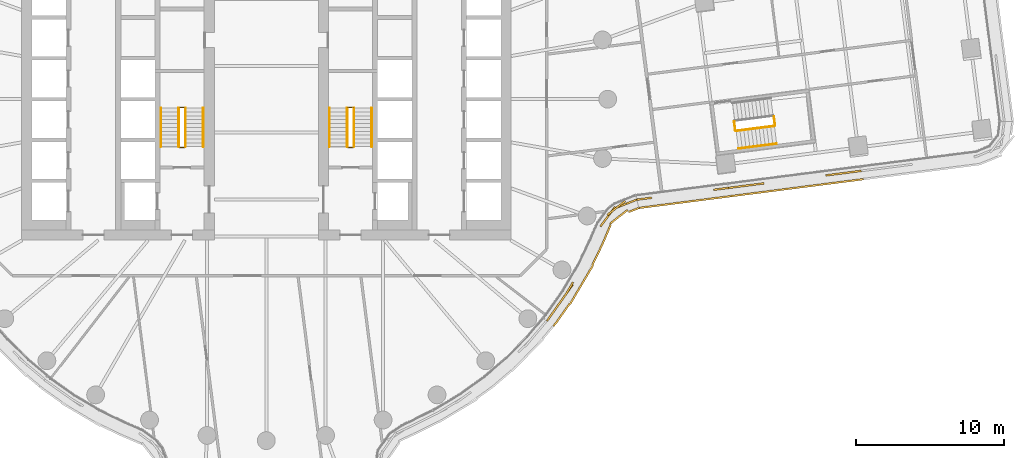
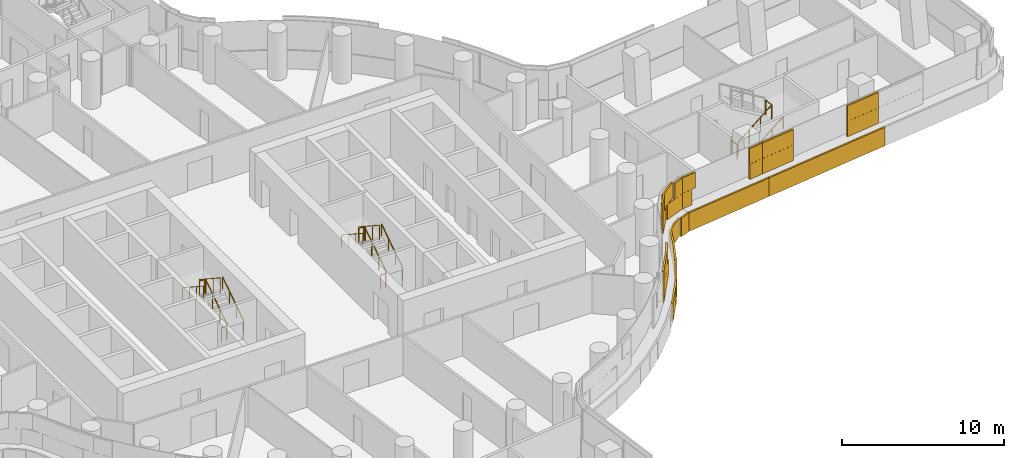
# One storey, part 28 of 31: 16 railings, 3 coverings.
"""IFC4 building model written with IfcOpenShell, lengths in metres."""

from ifc_helpers import new_model, si_unit, direction, frame, origin, origin_2d, place, context, subcontext, project, spatial, rectangle, circle, extrude, material, layer, layer_set, type_object, element, save


model = new_model("IFC4")

# Units and contexts
model_context = context("Model", 3, precision=1e-05, world=origin(), true_north=direction((0.0, 1.0)))
body_context = subcontext(model_context, "Body", "Model", "MODEL_VIEW")
ifc_project = project(units=[si_unit("LENGTHUNIT", "METRE"), si_unit("AREAUNIT", "SQUARE_METRE"), si_unit("VOLUMEUNIT", "CUBIC_METRE"), si_unit("PLANEANGLEUNIT", "RADIAN"), si_unit("MASSUNIT", "GRAM", prefix="KILO")], contexts=[model_context])

# Site, building, storey
site_placement = place(None, origin())
site = spatial("IfcSite", under=ifc_project, at=site_placement, CompositionType="ELEMENT")
building_placement = place(site_placement, origin())
building = spatial("IfcBuilding", under=site, at=building_placement, Name="Tamarind Cross Interchange Tower", CompositionType="ELEMENT")
storey_placement = place(building_placement, frame((0.0, 0.0, 60.25)))
storey = spatial("IfcBuildingStorey", under=building, at=storey_placement, Name="L13", CompositionType="ELEMENT", Elevation=60.25)

# Railings
ifc_material_1 = material(Name="Stair guard")
railing_type_1 = type_object("IfcRailingType", Name="Stair guard", PredefinedType="GUARDRAIL", material=ifc_material_1)
railing_1_placement = place(storey_placement, frame((-5.449951171875, -3.199951171875, 0.17041015625)))
element("IfcRailing", 1, at=railing_1_placement, inside=storey, type_object=railing_type_1, Name="L13 ST1 stair guard 1", PredefinedType="GUARDRAIL", context=body_context, shape_type="SweptSolid", body=[
    extrude(circle(Radius=0.02392578125, at=origin_2d()), frame((0.0, 0.0, 1.076171875), z_axis=(0.0, 0.836278606002, 0.548304744775), x_axis=(-1.0, 0.0, 0.0)), (0.0, 0.0, 1.0), 3.10888671875),
    extrude(circle(Radius=0.02099609375, at=origin_2d()), origin(), (0.0, 0.0, 1.0), 1.052001953125),
    extrude(circle(Radius=0.02099609375, at=origin_2d()), frame((0.0, 0.86669921875, 0.568115234375)), (0.0, 0.0, 1.0), 1.052001953125),
    extrude(circle(Radius=0.02099609375, at=origin_2d()), frame((0.0, 1.733154296875, 1.136474609375)), (0.0, 0.0, 1.0), 1.052001953125),
    extrude(circle(Radius=0.02099609375, at=origin_2d()), frame((0.0, 2.599853515625, 1.70458984375)), (0.0, 0.0, 1.0), 1.052001953125),
])
railing_2_placement = place(storey_placement, frame((-5.5, -0.550048828125, 1.875)))
element("IfcRailing", 2, at=railing_2_placement, inside=storey, type_object=railing_type_1, Name="L13 ST1 stair guard 2", PredefinedType="GUARDRAIL", context=body_context, shape_type="SweptSolid", body=[
    extrude(circle(Radius=0.02392578125, at=origin_2d()), frame((0.0, 0.0, 1.076171875), z_axis=(-1.0, 0.0, 0.0), x_axis=(0.0, -1.0, 0.0)), (0.0, 0.0, 1.0), 0.35009765625),
    extrude(circle(Radius=0.02099609375, at=origin_2d()), origin(), (0.0, 0.0, 1.0), 1.052001953125),
    extrude(circle(Radius=0.02099609375, at=origin_2d()), frame((-0.35009765625, 0.0, 0.0)), (0.0, 0.0, 1.0), 1.052001953125),
])
railing_3_placement = place(storey_placement, frame((-5.89990234375, -0.60009765625, 2.04541015625)))
element("IfcRailing", 3, at=railing_3_placement, inside=storey, type_object=railing_type_1, Name="L13 ST1 stair guard 3", PredefinedType="GUARDRAIL", context=body_context, shape_type="SweptSolid", body=[
    extrude(circle(Radius=0.02392578125, at=origin_2d()), frame((0.0, 0.0, 1.076171875), z_axis=(0.0, -0.836278606002, 0.548304744775), x_axis=(1.0, 0.0, 0.0)), (0.0, 0.0, 1.0), 3.10888671875),
    extrude(circle(Radius=0.02099609375, at=origin_2d()), origin(), (0.0, 0.0, 1.0), 1.052001953125),
    extrude(circle(Radius=0.02099609375, at=origin_2d()), frame((0.0, -0.86669921875, 0.568115234375)), (0.0, 0.0, 1.0), 1.052001953125),
    extrude(circle(Radius=0.02099609375, at=origin_2d()), frame((0.0, -1.733154296875, 1.136474609375)), (0.0, 0.0, 1.0), 1.052001953125),
    extrude(circle(Radius=0.02099609375, at=origin_2d()), frame((0.0, -2.599853515625, 1.70458984375)), (0.0, 0.0, 1.0), 1.052001953125),
])
railing_4_placement = place(storey_placement, frame((-5.5, -3.25, 0.0)))
element("IfcRailing", 4, at=railing_4_placement, inside=storey, type_object=railing_type_1, Name="L13 ST1 stair guard 4", PredefinedType="GUARDRAIL", context=body_context, shape_type="SweptSolid", body=[
    extrude(circle(Radius=0.02392578125, at=origin_2d()), frame((0.0, 0.0, 1.076171875), z_axis=(-1.0, 0.0, 0.0), x_axis=(0.0, -1.0, 0.0)), (0.0, 0.0, 1.0), 0.35009765625),
    extrude(circle(Radius=0.02099609375, at=origin_2d()), origin(), (0.0, 0.0, 1.0), 1.052001953125),
    extrude(circle(Radius=0.02099609375, at=origin_2d()), frame((-0.35009765625, 0.0, 0.0)), (0.0, 0.0, 1.0), 1.052001953125),
])
railing_5_placement = place(storey_placement, frame((5.89990234375, -3.199951171875, 0.17041015625)))
element("IfcRailing", 5, at=railing_5_placement, inside=storey, type_object=railing_type_1, Name="L13 ST2 stair guard 1", PredefinedType="GUARDRAIL", context=body_context, shape_type="SweptSolid", body=[
    extrude(circle(Radius=0.02392578125, at=origin_2d()), frame((0.0, 0.0, 1.076171875), z_axis=(0.0, 0.836278606002, 0.548304744775), x_axis=(-1.0, 0.0, 0.0)), (0.0, 0.0, 1.0), 3.10888671875),
    extrude(circle(Radius=0.02099609375, at=origin_2d()), origin(), (0.0, 0.0, 1.0), 1.052001953125),
    extrude(circle(Radius=0.02099609375, at=origin_2d()), frame((0.0, 0.86669921875, 0.568115234375)), (0.0, 0.0, 1.0), 1.052001953125),
    extrude(circle(Radius=0.02099609375, at=origin_2d()), frame((0.0, 1.733154296875, 1.136474609375)), (0.0, 0.0, 1.0), 1.052001953125),
    extrude(circle(Radius=0.02099609375, at=origin_2d()), frame((0.0, 2.599853515625, 1.70458984375)), (0.0, 0.0, 1.0), 1.052001953125),
])
railing_6_placement = place(storey_placement, frame((5.85009765625, -0.550048828125, 1.875)))
element("IfcRailing", 6, at=railing_6_placement, inside=storey, type_object=railing_type_1, Name="L13 ST2 stair guard 2", PredefinedType="GUARDRAIL", context=body_context, shape_type="SweptSolid", body=[
    extrude(circle(Radius=0.02392578125, at=origin_2d()), frame((0.0, 0.0, 1.076171875), z_axis=(-1.0, 0.0, 0.0), x_axis=(0.0, -1.0, 0.0)), (0.0, 0.0, 1.0), 0.35009765625),
    extrude(circle(Radius=0.02099609375, at=origin_2d()), origin(), (0.0, 0.0, 1.0), 1.052001953125),
    extrude(circle(Radius=0.02099609375, at=origin_2d()), frame((-0.35009765625, 0.0, 0.0)), (0.0, 0.0, 1.0), 1.052001953125),
])
railing_7_placement = place(storey_placement, frame((5.449951171875, -0.60009765625, 2.04541015625)))
element("IfcRailing", 7, at=railing_7_placement, inside=storey, type_object=railing_type_1, Name="L13 ST2 stair guard 3", PredefinedType="GUARDRAIL", context=body_context, shape_type="SweptSolid", body=[
    extrude(circle(Radius=0.02392578125, at=origin_2d()), frame((0.0, 0.0, 1.076171875), z_axis=(0.0, -0.836278606002, 0.548304744775), x_axis=(1.0, 0.0, 0.0)), (0.0, 0.0, 1.0), 3.10888671875),
    extrude(circle(Radius=0.02099609375, at=origin_2d()), origin(), (0.0, 0.0, 1.0), 1.052001953125),
    extrude(circle(Radius=0.02099609375, at=origin_2d()), frame((0.0, -0.86669921875, 0.568115234375)), (0.0, 0.0, 1.0), 1.052001953125),
    extrude(circle(Radius=0.02099609375, at=origin_2d()), frame((0.0, -1.733154296875, 1.136474609375)), (0.0, 0.0, 1.0), 1.052001953125),
    extrude(circle(Radius=0.02099609375, at=origin_2d()), frame((0.0, -2.599853515625, 1.70458984375)), (0.0, 0.0, 1.0), 1.052001953125),
])
railing_8_placement = place(storey_placement, frame((5.85009765625, -3.25, 0.0)))
element("IfcRailing", 8, at=railing_8_placement, inside=storey, type_object=railing_type_1, Name="L13 ST2 stair guard 4", PredefinedType="GUARDRAIL", context=body_context, shape_type="SweptSolid", body=[
    extrude(circle(Radius=0.02392578125, at=origin_2d()), frame((0.0, 0.0, 1.076171875), z_axis=(-1.0, 0.0, 0.0), x_axis=(0.0, -1.0, 0.0)), (0.0, 0.0, 1.0), 0.35009765625),
    extrude(circle(Radius=0.02099609375, at=origin_2d()), origin(), (0.0, 0.0, 1.0), 1.052001953125),
    extrude(circle(Radius=0.02099609375, at=origin_2d()), frame((-0.35009765625, 0.0, 0.0)), (0.0, 0.0, 1.0), 1.052001953125),
])
railing_9_placement = place(storey_placement, frame((31.65087890625, -2.138916015625, 0.17041015625)))
element("IfcRailing", 9, at=railing_9_placement, inside=storey, type_object=railing_type_1, Name="L13 ST3 stair guard 1", PredefinedType="GUARDRAIL", context=body_context, shape_type="SweptSolid", body=[
    extrude(circle(Radius=0.02392578125, at=origin_2d()), frame((0.0, 0.0, 1.076171875), z_axis=(0.829487826646, 0.106483526738, 0.548280223955), x_axis=(-0.127327757742, 0.991860696927, 0.0)), (0.0, 0.0, 1.0), 3.10888671875),
    extrude(circle(Radius=0.02099609375, at=origin_2d()), origin(), (0.0, 0.0, 1.0), 1.052001953125),
    extrude(circle(Radius=0.02099609375, at=origin_2d()), frame((0.859619140625, 0.1103515625, 0.568115234375)), (0.0, 0.0, 1.0), 1.052001953125),
    extrude(circle(Radius=0.02099609375, at=origin_2d()), frame((1.71923828125, 0.220703125, 1.136474609375)), (0.0, 0.0, 1.0), 1.052001953125),
    extrude(circle(Radius=0.02099609375, at=origin_2d()), frame((2.578857421875, 0.3310546875, 1.70458984375)), (0.0, 0.0, 1.0), 1.052001953125),
])
railing_10_placement = place(storey_placement, frame((34.27294921875, -1.751953125, 1.875)))
element("IfcRailing", 10, at=railing_10_placement, inside=storey, type_object=railing_type_1, Name="L13 ST3 stair guard 2", PredefinedType="GUARDRAIL", context=body_context, shape_type="SweptSolid", body=[
    extrude(circle(Radius=0.02392578125, at=origin_2d()), frame((0.0, 0.0, 1.076171875), z_axis=(-0.127338783873, 0.991859281411, 0.0), x_axis=(-0.991859281411, -0.127338783873, 0.0)), (0.0, 0.0, 1.0), 0.60009765625),
    extrude(circle(Radius=0.02099609375, at=origin_2d()), origin(), (0.0, 0.0, 1.0), 1.052001953125),
    extrude(circle(Radius=0.02099609375, at=origin_2d()), frame((-0.076416015625, 0.59521484375, 0.0)), (0.0, 0.0, 1.0), 1.052001953125),
])
railing_11_placement = place(storey_placement, frame((31.5947265625, -2.095703125, 0.0)))
element("IfcRailing", 11, at=railing_11_placement, inside=storey, type_object=railing_type_1, Name="L13 ST3 stair guard 4", PredefinedType="GUARDRAIL", context=body_context, shape_type="SweptSolid", body=[
    extrude(circle(Radius=0.02392578125, at=origin_2d()), frame((0.0, 0.0, 1.076171875), z_axis=(-0.126938516494, 0.991910587216, 0.0), x_axis=(-0.991910587216, -0.126938516494, 0.0)), (0.0, 0.0, 1.0), 0.60009765625),
    extrude(circle(Radius=0.02099609375, at=origin_2d()), origin(), (0.0, 0.0, 1.0), 1.052001953125),
    extrude(circle(Radius=0.02099609375, at=origin_2d()), frame((-0.076171875, 0.59521484375, 0.0)), (0.0, 0.0, 1.0), 1.052001953125),
])
ifc_material_2 = material(Name="Stair handrail")
railing_type_2 = type_object("IfcRailingType", Name="Stair handrail", PredefinedType="HANDRAIL", material=ifc_material_2)
railing_12_placement = place(storey_placement, frame((-4.25, -3.199951171875, 0.17041015625)))
element("IfcRailing", 12, at=railing_12_placement, inside=storey, type_object=railing_type_2, Name="L13 ST1 stair handrail 1", PredefinedType="HANDRAIL", context=body_context, shape_type="SweptSolid", body=[
    extrude(circle(Radius=0.02392578125, at=origin_2d()), frame((0.0, 0.0, 0.8759765625), z_axis=(0.0, 0.836278606002, 0.548304744775), x_axis=(-1.0, 0.0, 0.0)), (0.0, 0.0, 1.0), 3.10888671875),
    extrude(circle(Radius=0.02099609375, at=origin_2d()), origin(), (0.0, 0.0, 1.0), 0.851806640625),
    extrude(circle(Radius=0.02099609375, at=origin_2d()), frame((0.0, 0.86669921875, 0.568115234375)), (0.0, 0.0, 1.0), 0.851806640625),
    extrude(circle(Radius=0.02099609375, at=origin_2d()), frame((0.0, 1.733154296875, 1.136474609375)), (0.0, 0.0, 1.0), 0.851806640625),
    extrude(circle(Radius=0.02099609375, at=origin_2d()), frame((0.0, 2.599853515625, 1.70458984375)), (0.0, 0.0, 1.0), 0.851806640625),
])
railing_13_placement = place(storey_placement, frame((-7.10009765625, -0.60009765625, 2.04541015625)))
element("IfcRailing", 13, at=railing_13_placement, inside=storey, type_object=railing_type_2, Name="L13 ST1 stair handrail 2", PredefinedType="HANDRAIL", context=body_context, shape_type="SweptSolid", body=[
    extrude(circle(Radius=0.02392578125, at=origin_2d()), frame((0.0, 0.0, 0.8759765625), z_axis=(0.0, -0.836278606002, 0.548304744775), x_axis=(1.0, 0.0, 0.0)), (0.0, 0.0, 1.0), 3.10888671875),
    extrude(circle(Radius=0.02099609375, at=origin_2d()), origin(), (0.0, 0.0, 1.0), 0.851806640625),
    extrude(circle(Radius=0.02099609375, at=origin_2d()), frame((0.0, -0.86669921875, 0.568115234375)), (0.0, 0.0, 1.0), 0.851806640625),
    extrude(circle(Radius=0.02099609375, at=origin_2d()), frame((0.0, -1.733154296875, 1.136474609375)), (0.0, 0.0, 1.0), 0.851806640625),
    extrude(circle(Radius=0.02099609375, at=origin_2d()), frame((0.0, -2.599853515625, 1.70458984375)), (0.0, 0.0, 1.0), 0.851806640625),
])
railing_14_placement = place(storey_placement, frame((7.10009765625, -3.199951171875, 0.17041015625)))
element("IfcRailing", 14, at=railing_14_placement, inside=storey, type_object=railing_type_2, Name="L13 ST2 stair handrail 1", PredefinedType="HANDRAIL", context=body_context, shape_type="SweptSolid", body=[
    extrude(circle(Radius=0.02392578125, at=origin_2d()), frame((0.0, 0.0, 0.8759765625), z_axis=(0.0, 0.836278606002, 0.548304744775), x_axis=(-1.0, 0.0, 0.0)), (0.0, 0.0, 1.0), 3.10888671875),
    extrude(circle(Radius=0.02099609375, at=origin_2d()), origin(), (0.0, 0.0, 1.0), 0.851806640625),
    extrude(circle(Radius=0.02099609375, at=origin_2d()), frame((0.0, 0.86669921875, 0.568115234375)), (0.0, 0.0, 1.0), 0.851806640625),
    extrude(circle(Radius=0.02099609375, at=origin_2d()), frame((0.0, 1.733154296875, 1.136474609375)), (0.0, 0.0, 1.0), 0.851806640625),
    extrude(circle(Radius=0.02099609375, at=origin_2d()), frame((0.0, 2.599853515625, 1.70458984375)), (0.0, 0.0, 1.0), 0.851806640625),
])
railing_15_placement = place(storey_placement, frame((4.25, -0.60009765625, 2.04541015625)))
element("IfcRailing", 15, at=railing_15_placement, inside=storey, type_object=railing_type_2, Name="L13 ST2 stair handrail 2", PredefinedType="HANDRAIL", context=body_context, shape_type="SweptSolid", body=[
    extrude(circle(Radius=0.02392578125, at=origin_2d()), frame((0.0, 0.0, 0.8759765625), z_axis=(0.0, -0.836278606002, 0.548304744775), x_axis=(1.0, 0.0, 0.0)), (0.0, 0.0, 1.0), 3.10888671875),
    extrude(circle(Radius=0.02099609375, at=origin_2d()), origin(), (0.0, 0.0, 1.0), 0.851806640625),
    extrude(circle(Radius=0.02099609375, at=origin_2d()), frame((0.0, -0.86669921875, 0.568115234375)), (0.0, 0.0, 1.0), 0.851806640625),
    extrude(circle(Radius=0.02099609375, at=origin_2d()), frame((0.0, -1.733154296875, 1.136474609375)), (0.0, 0.0, 1.0), 0.851806640625),
    extrude(circle(Radius=0.02099609375, at=origin_2d()), frame((0.0, -2.599853515625, 1.70458984375)), (0.0, 0.0, 1.0), 0.851806640625),
])
railing_16_placement = place(storey_placement, frame((31.803466796875, -3.3291015625, 0.17041015625)))
element("IfcRailing", 16, at=railing_16_placement, inside=storey, type_object=railing_type_2, Name="L13 ST3 stair handrail 1", PredefinedType="HANDRAIL", context=body_context, shape_type="SweptSolid", body=[
    extrude(circle(Radius=0.02392578125, at=origin_2d()), frame((0.0, 0.0, 0.8759765625), z_axis=(0.829487826646, 0.106483526738, 0.548280223955), x_axis=(-0.127327757742, 0.991860696927, 0.0)), (0.0, 0.0, 1.0), 3.10888671875),
    extrude(circle(Radius=0.02099609375, at=origin_2d()), origin(), (0.0, 0.0, 1.0), 0.851806640625),
    extrude(circle(Radius=0.02099609375, at=origin_2d()), frame((0.859619140625, 0.1103515625, 0.568115234375)), (0.0, 0.0, 1.0), 0.851806640625),
    extrude(circle(Radius=0.02099609375, at=origin_2d()), frame((1.71923828125, 0.220703125, 1.136474609375)), (0.0, 0.0, 1.0), 0.851806640625),
    extrude(circle(Radius=0.02099609375, at=origin_2d()), frame((2.578857421875, 0.3310546875, 1.70458984375)), (0.0, 0.0, 1.0), 0.851806640625),
])

# Coverings
ifc_material_3 = material(Name="Terracotta", Category="masonry")
ifc_layer = layer(ifc_material_3, 0.1201171875)
ifc_layer_set = layer_set([ifc_layer], Name="Terracotta")
covering_type = type_object("IfcCoveringType", Name="Terracotta baguette screen unit", PredefinedType="MOLDING", material=ifc_layer_set)
covering_1_placement = place(storey_placement, origin())
element("IfcCovering", 17, at=covering_1_placement, inside=storey, type_object=covering_type, Name="SCR-L13-06-01", PredefinedType="MOLDING", context=body_context, shape_type="SweptSolid", body=[
    extrude(rectangle(XDim=1.493896484375, YDim=0.1201171875, at=origin_2d()), frame((19.33984375, -14.331787109375, 1.404052734375), z_axis=(0.0, 0.0, 1.0), x_axis=(0.577568978284, 0.816341886298, 0.0)), (0.0, 0.0, 1.0), 1.1669921875),
    extrude(rectangle(XDim=1.52001953125, YDim=0.1201171875, at=origin_2d()), frame((20.201416015625, -13.11376953125, 1.404052734375), z_axis=(0.0, 0.0, 1.0), x_axis=(0.577568978284, 0.816341886298, 0.0)), (0.0, 0.0, 1.0), 1.1669921875),
    extrude(rectangle(XDim=1.52001953125, YDim=0.1201171875, at=origin_2d()), frame((23.047607421875, -7.8515625, 1.404052734375), z_axis=(0.0, 0.0, 1.0), x_axis=(0.597043444231, 0.802208904027, 0.0)), (0.0, 0.0, 1.0), 1.1669921875),
    extrude(rectangle(XDim=1.505615234375, YDim=0.1201171875, at=origin_2d()), frame((24.2626953125, -7.039306640625, 1.404052734375), z_axis=(0.0, 0.0, 1.0), x_axis=(0.931994285303, 0.362472967491, 0.0)), (0.0, 0.0, 1.0), 1.1669921875),
    extrude(rectangle(XDim=0.743896484375, YDim=0.1201171875, at=origin_2d()), frame((19.123291015625, -14.637939453125, 2.5791015625), z_axis=(0.0, 0.0, 1.0), x_axis=(0.577568978284, 0.816341886298, 0.0)), (0.0, 0.0, 1.0), 1.1669921875),
    extrude(rectangle(XDim=1.52001953125, YDim=0.1201171875, at=origin_2d()), frame((19.768310546875, -13.72607421875, 2.5791015625), z_axis=(0.0, 0.0, 1.0), x_axis=(0.577568978284, 0.816341886298, 0.0)), (0.0, 0.0, 1.0), 1.1669921875),
    extrude(rectangle(XDim=0.915771484375, YDim=0.1201171875, at=origin_2d()), frame((20.433837890625, -12.72509765625, 2.5791015625), z_axis=(0.0, 0.0, 1.0), x_axis=(0.508183308752, 0.861248933065, 0.0)), (0.0, 0.0, 1.0), 1.1669921875),
    extrude(rectangle(XDim=0.904296875, YDim=0.1201171875, at=origin_2d()), frame((22.78076171875, -8.210205078125, 2.5791015625), z_axis=(0.0, 0.0, 1.0), x_axis=(0.597043444231, 0.802208904027, 0.0)), (0.0, 0.0, 1.0), 1.1669921875),
    extrude(rectangle(XDim=1.52001953125, YDim=0.1201171875, at=origin_2d()), frame((23.576171875, -7.32861328125, 2.5791015625), z_axis=(0.0, 0.0, 1.0), x_axis=(0.788022516762, 0.615646418877, 0.0)), (0.0, 0.0, 1.0), 1.1669921875),
    extrude(rectangle(XDim=0.755615234375, YDim=0.1201171875, at=origin_2d()), frame((24.6123046875, -6.9033203125, 2.5791015625), z_axis=(0.0, 0.0, 1.0), x_axis=(0.931994285303, 0.362472967491, 0.0)), (0.0, 0.0, 1.0), 1.1669921875),
    extrude(rectangle(XDim=0.375244140625, YDim=0.1201171875, at=origin_2d()), frame((19.46435546875, -15.1357421875, 0.00390625), z_axis=(0.0, 0.0, 1.0), x_axis=(0.643009266048, 0.765858396687, 0.0)), (0.0, 0.0, 1.0), 1.39208984375),
    extrude(rectangle(XDim=1.52001953125, YDim=0.1201171875, at=origin_2d()), frame((20.00634765625, -14.38330078125, 0.00390625), z_axis=(0.0, 0.0, 1.0), x_axis=(0.577568978284, 0.816341886298, 0.0)), (0.0, 0.0, 1.0), 1.39208984375),
    extrude(rectangle(XDim=1.52001953125, YDim=0.1201171875, at=origin_2d()), frame((20.852294921875, -13.1455078125, 0.00390625), z_axis=(0.0, 0.0, 1.0), x_axis=(0.508183308752, 0.861248933065, 0.0)), (0.0, 0.0, 1.0), 1.39208984375),
    extrude(rectangle(XDim=1.52001953125, YDim=0.1201171875, at=origin_2d()), frame((21.61474609375, -11.853759765625, 0.00390625), z_axis=(0.0, 0.0, 1.0), x_axis=(0.508183308752, 0.861248933065, 0.0)), (0.0, 0.0, 1.0), 1.39208984375),
    extrude(rectangle(XDim=1.52001953125, YDim=0.1201171875, at=origin_2d()), frame((22.285400390625, -10.5126953125, 0.00390625), z_axis=(0.0, 0.0, 1.0), x_axis=(0.435326231914, 0.900272776334, 0.0)), (0.0, 0.0, 1.0), 1.39208984375),
    extrude(rectangle(XDim=1.52001953125, YDim=0.1201171875, at=origin_2d()), frame((22.90673828125, -9.14794921875, 0.00390625), z_axis=(0.0, 0.0, 1.0), x_axis=(0.391774858116, 0.920061117833, 0.0)), (0.0, 0.0, 1.0), 1.39208984375),
    extrude(rectangle(XDim=1.52001953125, YDim=0.1201171875, at=origin_2d()), frame((23.748291015625, -7.922607421875, 0.00390625), z_axis=(0.0, 0.0, 1.0), x_axis=(0.788022516762, 0.615646418877, 0.0)), (0.0, 0.0, 1.0), 1.39208984375),
    extrude(rectangle(XDim=0.746337890625, YDim=0.1201171875, at=origin_2d()), frame((24.75439453125, -7.4638671875, 0.00390625), z_axis=(0.0, 0.0, 1.0), x_axis=(0.931994285303, 0.362472967491, 0.0)), (0.0, 0.0, 1.0), 1.39208984375),
])
covering_2_placement = place(storey_placement, origin())
element("IfcCovering", 18, at=covering_2_placement, inside=storey, type_object=covering_type, Name="SCR-L13-07-00", PredefinedType="MOLDING", context=body_context, shape_type="SweptSolid", body=[
    extrude(rectangle(XDim=0.760009765625, YDim=0.1201171875, at=origin_2d()), frame((25.33154296875, -6.720458984375, 1.404052734375), z_axis=(0.0, 0.0, 1.0), x_axis=(0.991864253985, 0.127300045824, 0.0)), (0.0, 0.0, 1.0), 1.1669921875),
    extrude(rectangle(XDim=0.997314453125, YDim=0.1201171875, at=origin_2d()), frame((30.656494140625, -6.037109375, 1.404052734375), z_axis=(0.0, 0.0, 1.0), x_axis=(0.991864253985, 0.127300045824, 0.0)), (0.0, 0.0, 1.0), 1.1669921875),
    extrude(rectangle(XDim=1.0185546875, YDim=0.1201171875, at=origin_2d()), frame((25.46484375, -6.703369140625, 2.5791015625), z_axis=(0.0, 0.0, 1.0), x_axis=(0.991864253985, 0.127300045824, 0.0)), (0.0, 0.0, 1.0), 1.1669921875),
    extrude(rectangle(XDim=0.79150390625, YDim=0.1201171875, at=origin_2d()), frame((30.5234375, -6.05419921875, 2.5791015625), z_axis=(0.0, 0.0, 1.0), x_axis=(0.991864253985, 0.127300045824, 0.0)), (0.0, 0.0, 1.0), 1.1669921875),
    extrude(rectangle(XDim=0.247314453125, YDim=0.1201171875, at=origin_2d()), frame((31.028564453125, -5.989501953125, 2.5791015625), z_axis=(0.0, 0.0, 1.0), x_axis=(0.991864253985, 0.127300045824, 0.0)), (0.0, 0.0, 1.0), 1.1669921875),
    extrude(rectangle(XDim=0.760009765625, YDim=0.1201171875, at=origin_2d()), frame((25.479248046875, -7.2802734375, 0.00390625), z_axis=(0.0, 0.0, 1.0), x_axis=(0.991864253985, 0.127300045824, 0.0)), (0.0, 0.0, 1.0), 1.39208984375),
    extrude(rectangle(XDim=1.52001953125, YDim=0.1201171875, at=origin_2d()), frame((26.590087890625, -7.1376953125, 0.00390625), z_axis=(0.0, 0.0, 1.0), x_axis=(0.991864253985, 0.127300045824, 0.0)), (0.0, 0.0, 1.0), 1.39208984375),
    extrude(rectangle(XDim=1.52001953125, YDim=0.1201171875, at=origin_2d()), frame((28.077880859375, -6.94677734375, 0.00390625), z_axis=(0.0, 0.0, 1.0), x_axis=(0.991864253985, 0.127300045824, 0.0)), (0.0, 0.0, 1.0), 1.39208984375),
    extrude(rectangle(XDim=1.52001953125, YDim=0.1201171875, at=origin_2d()), frame((29.565673828125, -6.755859375, 0.00390625), z_axis=(0.0, 0.0, 1.0), x_axis=(0.991864253985, 0.127300045824, 0.0)), (0.0, 0.0, 1.0), 1.39208984375),
    extrude(rectangle(XDim=0.998779296875, YDim=0.1201171875, at=origin_2d()), frame((30.794921875, -6.59814453125, 0.00390625), z_axis=(0.0, 0.0, 1.0), x_axis=(0.991864253985, 0.127300045824, 0.0)), (0.0, 0.0, 1.0), 1.39208984375),
])
covering_3_placement = place(storey_placement, origin())
element("IfcCovering", 19, at=covering_3_placement, inside=storey, type_object=covering_type, Name="SCR-L13-07-01", PredefinedType="MOLDING", context=body_context, shape_type="SweptSolid", body=[
    extrude(rectangle(XDim=0.522705078125, YDim=0.1201171875, at=origin_2d()), frame((31.400390625, -5.941650390625, 1.404052734375), z_axis=(0.0, 0.0, 1.0), x_axis=(0.991864253985, 0.127300045824, 0.0)), (0.0, 0.0, 1.0), 1.1669921875),
    extrude(rectangle(XDim=1.52001953125, YDim=0.1201171875, at=origin_2d()), frame((32.398681640625, -5.8134765625, 1.404052734375), z_axis=(0.0, 0.0, 1.0), x_axis=(0.991864253985, 0.127300045824, 0.0)), (0.0, 0.0, 1.0), 1.1669921875),
    extrude(rectangle(XDim=0.3974609375, YDim=0.1201171875, at=origin_2d()), frame((33.334716796875, -5.693359375, 1.404052734375), z_axis=(0.0, 0.0, 1.0), x_axis=(0.991864253985, 0.127300045824, 0.0)), (0.0, 0.0, 1.0), 1.1669921875),
    extrude(rectangle(XDim=1.422607421875, YDim=0.1201171875, at=origin_2d()), frame((38.393310546875, -5.044189453125, 1.404052734375), z_axis=(0.0, 0.0, 1.0), x_axis=(0.991864253985, 0.127300045824, 0.0)), (0.0, 0.0, 1.0), 1.1669921875),
    extrude(rectangle(XDim=0.99755859375, YDim=0.1201171875, at=origin_2d()), frame((39.58349609375, -4.891357421875, 1.404052734375), z_axis=(0.0, 0.0, 1.0), x_axis=(0.991864253985, 0.127300045824, 0.0)), (0.0, 0.0, 1.0), 1.1669921875),
    extrude(rectangle(XDim=1.272705078125, YDim=0.1201171875, at=origin_2d()), frame((31.7724609375, -5.89404296875, 2.5791015625), z_axis=(0.0, 0.0, 1.0), x_axis=(0.991864253985, 0.127300045824, 0.0)), (0.0, 0.0, 1.0), 1.1669921875),
    extrude(rectangle(XDim=1.1474609375, YDim=0.1201171875, at=origin_2d()), frame((32.962646484375, -5.7412109375, 2.5791015625), z_axis=(0.0, 0.0, 1.0), x_axis=(0.991864253985, 0.127300045824, 0.0)), (0.0, 0.0, 1.0), 1.1669921875),
    extrude(rectangle(XDim=0.672607421875, YDim=0.1201171875, at=origin_2d()), frame((38.021240234375, -5.092041015625, 2.5791015625), z_axis=(0.0, 0.0, 1.0), x_axis=(0.991864253985, 0.127300045824, 0.0)), (0.0, 0.0, 1.0), 1.1669921875),
    extrude(rectangle(XDim=1.52001953125, YDim=0.1201171875, at=origin_2d()), frame((39.09375, -4.954345703125, 2.5791015625), z_axis=(0.0, 0.0, 1.0), x_axis=(0.991864253985, 0.127300045824, 0.0)), (0.0, 0.0, 1.0), 1.1669921875),
    extrude(rectangle(XDim=0.24755859375, YDim=0.1201171875, at=origin_2d()), frame((39.95556640625, -4.84375, 2.5791015625), z_axis=(0.0, 0.0, 1.0), x_axis=(0.991864253985, 0.127300045824, 0.0)), (0.0, 0.0, 1.0), 1.1669921875),
    extrude(rectangle(XDim=0.521240234375, YDim=0.1201171875, at=origin_2d()), frame((31.548828125, -6.501220703125, 0.00390625), z_axis=(0.0, 0.0, 1.0), x_axis=(0.991864253985, 0.127300045824, 0.0)), (0.0, 0.0, 1.0), 1.39208984375),
    extrude(rectangle(XDim=1.52001953125, YDim=0.1201171875, at=origin_2d()), frame((32.541259765625, -6.3740234375, 0.00390625), z_axis=(0.0, 0.0, 1.0), x_axis=(0.991864253985, 0.127300045824, 0.0)), (0.0, 0.0, 1.0), 1.39208984375),
    extrude(rectangle(XDim=1.52001953125, YDim=0.1201171875, at=origin_2d()), frame((34.029052734375, -6.18310546875, 0.00390625), z_axis=(0.0, 0.0, 1.0), x_axis=(0.991864253985, 0.127300045824, 0.0)), (0.0, 0.0, 1.0), 1.39208984375),
    extrude(rectangle(XDim=1.52001953125, YDim=0.1201171875, at=origin_2d()), frame((35.516845703125, -5.991943359375, 0.00390625), z_axis=(0.0, 0.0, 1.0), x_axis=(0.991864253985, 0.127300045824, 0.0)), (0.0, 0.0, 1.0), 1.39208984375),
    extrude(rectangle(XDim=1.52001953125, YDim=0.1201171875, at=origin_2d()), frame((37.004638671875, -5.801025390625, 0.00390625), z_axis=(0.0, 0.0, 1.0), x_axis=(0.991864253985, 0.127300045824, 0.0)), (0.0, 0.0, 1.0), 1.39208984375),
    extrude(rectangle(XDim=1.52001953125, YDim=0.1201171875, at=origin_2d()), frame((38.492431640625, -5.610107421875, 0.00390625), z_axis=(0.0, 0.0, 1.0), x_axis=(0.991864253985, 0.127300045824, 0.0)), (0.0, 0.0, 1.0), 1.39208984375),
    extrude(rectangle(XDim=1.001220703125, YDim=0.1201171875, at=origin_2d()), frame((39.722900390625, -5.4521484375, 0.00390625), z_axis=(0.0, 0.0, 1.0), x_axis=(0.991864253985, 0.127300045824, 0.0)), (0.0, 0.0, 1.0), 1.39208984375),
])

save(model, "model.ifc")
